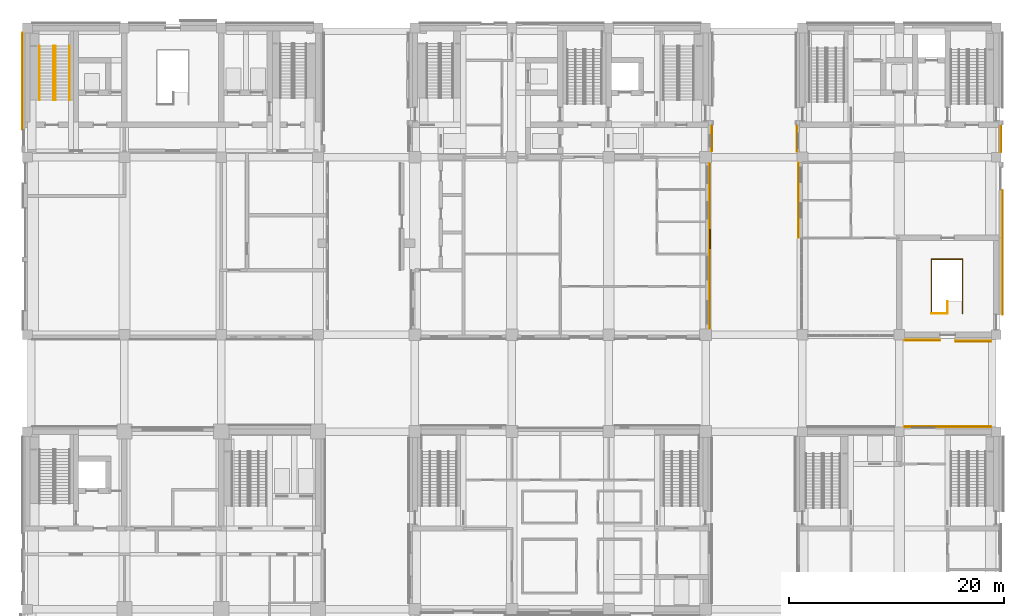
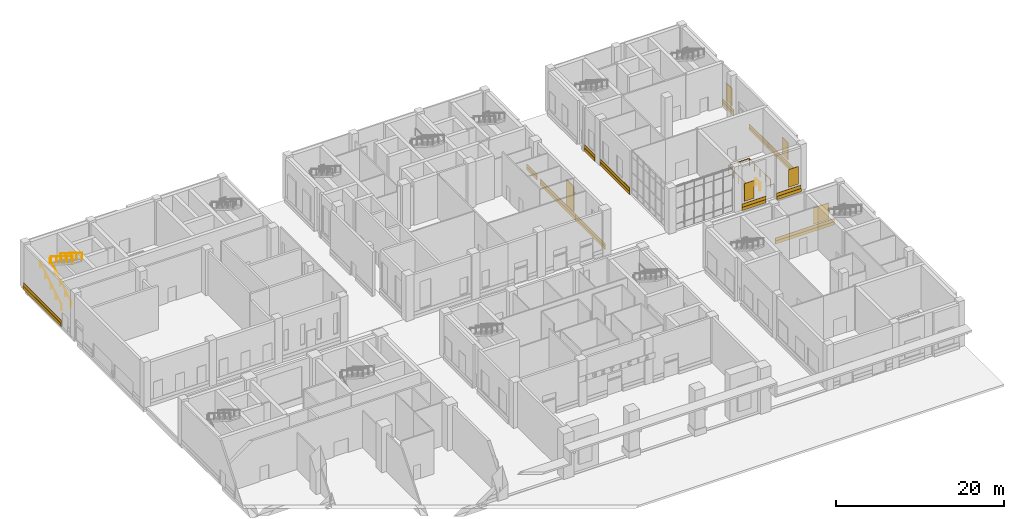
# One storey, part 28 of 35: 30 coverings, 7 railings.
"""IFC4 building model written with IfcOpenShell, lengths in metres."""

from ifc_helpers import new_model, si_unit, direction, frame, origin, origin_2d, place, context, subcontext, project, spatial, rectangle, circle, extrude, material, layer, layer_set, type_object, element, save


model = new_model("IFC4")

# Units and contexts
model_context = context("Model", 3, precision=1e-05, world=origin(), true_north=direction((0.0, 1.0)))
body_context = subcontext(model_context, "Body", "Model", "MODEL_VIEW")
ifc_project = project(units=[si_unit("LENGTHUNIT", "METRE"), si_unit("AREAUNIT", "SQUARE_METRE"), si_unit("VOLUMEUNIT", "CUBIC_METRE"), si_unit("PLANEANGLEUNIT", "RADIAN"), si_unit("MASSUNIT", "GRAM", prefix="KILO")], contexts=[model_context])

# Site, building, storey
site_placement = place(None, origin())
site = spatial("IfcSite", under=ifc_project, at=site_placement, CompositionType="ELEMENT")
building_placement = place(site_placement, origin())
building = spatial("IfcBuilding", under=site, at=building_placement, Name="Aurelan Courthouse", CompositionType="ELEMENT")
storey_placement = place(building_placement, origin())
storey = spatial("IfcBuildingStorey", under=building, at=storey_placement, Name="L00", CompositionType="ELEMENT", Elevation=0.0)

# Coverings
ifc_material_1 = material(Name="Granite cladding", Category="masonry")
covering_type_1 = type_object("IfcCoveringType", Name="Courtroom Block rusticated plinth course 450 x 100", PredefinedType="CLADDING", material=ifc_material_1)
covering_1_placement = place(storey_placement, frame((63.39990234375, 41.52490234375, 0.0), z_axis=(0.0, 0.0, 1.0), x_axis=(1.0, 0.0, 0.0)))
element("IfcCovering", 1, at=covering_1_placement, inside=storey, type_object=covering_type_1, Name="Plinth course PLC-V2-017", PredefinedType="CLADDING", context=body_context, shape_type="SweptSolid", body=[
    extrude(rectangle(XDim=0.10009765625, YDim=6.949951171875, at=origin_2d()), origin(), (0.0, 0.0, 1.0), 0.449951171875),
])
covering_2_placement = place(storey_placement, frame((63.3798828125, 41.52490234375, 0.4501953125), z_axis=(0.0, 0.0, 1.0), x_axis=(1.0, 0.0, 0.0)))
element("IfcCovering", 2, at=covering_2_placement, inside=storey, type_object=covering_type_1, Name="Plinth course PLC-V2-018", PredefinedType="CLADDING", context=body_context, shape_type="SweptSolid", body=[
    extrude(rectangle(XDim=0.06005859375, YDim=6.949951171875, at=origin_2d()), origin(), (0.0, 0.0, 1.0), 0.449951171875),
])
covering_3_placement = place(storey_placement, frame((63.39990234375, 49.22509765625, 0.0), z_axis=(0.0, 0.0, 1.0), x_axis=(1.0, 0.0, 0.0)))
element("IfcCovering", 3, at=covering_3_placement, inside=storey, type_object=covering_type_1, Name="Plinth course PLC-V2-023", PredefinedType="CLADDING", context=body_context, shape_type="SweptSolid", body=[
    extrude(rectangle(XDim=0.10009765625, YDim=8.449951171875, at=origin_2d()), origin(), (0.0, 0.0, 1.0), 0.449951171875),
])
covering_4_placement = place(storey_placement, frame((63.3798828125, 49.22509765625, 0.4501953125), z_axis=(0.0, 0.0, 1.0), x_axis=(1.0, 0.0, 0.0)))
element("IfcCovering", 4, at=covering_4_placement, inside=storey, type_object=covering_type_1, Name="Plinth course PLC-V2-024", PredefinedType="CLADDING", context=body_context, shape_type="SweptSolid", body=[
    extrude(rectangle(XDim=0.06005859375, YDim=8.449951171875, at=origin_2d()), origin(), (0.0, 0.0, 1.0), 0.449951171875),
])
covering_5_placement = place(storey_placement, frame((63.60009765625, 55.77490234375, 0.0), z_axis=(0.0, 0.0, 1.0), x_axis=(1.0, 0.0, 0.0)))
element("IfcCovering", 5, at=covering_5_placement, inside=storey, type_object=covering_type_1, Name="Plinth course PLC-V2-027", PredefinedType="CLADDING", context=body_context, shape_type="SweptSolid", body=[
    extrude(rectangle(XDim=0.10009765625, YDim=2.449951171875, at=origin_2d()), origin(), (0.0, 0.0, 1.0), 0.449951171875),
])
covering_6_placement = place(storey_placement, frame((63.580078125, 55.77490234375, 0.4501953125), z_axis=(0.0, 0.0, 1.0), x_axis=(1.0, 0.0, 0.0)))
element("IfcCovering", 6, at=covering_6_placement, inside=storey, type_object=covering_type_1, Name="Plinth course PLC-V2-028", PredefinedType="CLADDING", context=body_context, shape_type="SweptSolid", body=[
    extrude(rectangle(XDim=0.06005859375, YDim=2.449951171875, at=origin_2d()), origin(), (0.0, 0.0, 1.0), 0.449951171875),
])
covering_type_2 = type_object("IfcCoveringType", Name="Custody Suite rusticated plinth course 450 x 100", PredefinedType="CLADDING", material=ifc_material_1)
covering_7_placement = place(storey_placement, frame((-0.5, 61.050048828125, 0.0), z_axis=(0.0, 0.0, 1.0), x_axis=(1.0, 0.0, 0.0)))
element("IfcCovering", 7, at=covering_7_placement, inside=storey, type_object=covering_type_2, Name="Plinth course PLC-V6-016", PredefinedType="CLADDING", context=body_context, shape_type="SweptSolid", body=[
    extrude(rectangle(XDim=0.10009765625, YDim=9.0, at=origin_2d()), origin(), (0.0, 0.0, 1.0), 0.449951171875),
])
covering_8_placement = place(storey_placement, frame((-0.47998046875, 61.050048828125, 0.4501953125), z_axis=(0.0, 0.0, 1.0), x_axis=(1.0, 0.0, 0.0)))
element("IfcCovering", 8, at=covering_8_placement, inside=storey, type_object=covering_type_2, Name="Plinth course PLC-V6-018", PredefinedType="CLADDING", context=body_context, shape_type="SweptSolid", body=[
    extrude(rectangle(XDim=0.06005859375, YDim=9.0, at=origin_2d()), origin(), (0.0, 0.0, 1.0), 0.449951171875),
])
ifc_material_2 = material(Name="Bronze sheet cladding")
ifc_layer_1 = layer(ifc_material_2, 0.06005859375)
ifc_layer_set_1 = layer_set([ifc_layer_1], Name="Bronze sheet cladding")
covering_type_3 = type_object("IfcCoveringType", Name="Law Library blind bay 1350 x 2550", PredefinedType="CLADDING", material=ifc_layer_set_1)
for number, where, z_axis, x_axis, name in (
    (9, (82.5, 37.0, 1.2001953125), (0.0, 0.0, 1.0), (1.0, 0.0, 0.0), "Blind bay BB-V3-L00-001"),
    (10, (88.5, 36.89990234375, 1.2001953125), (0.0, 0.0, 1.0), (1.0, 0.0, 0.0), "Blind bay BB-V3-L00-002"),
):
    element("IfcCovering", number, at=place(storey_placement, frame(where, z_axis=z_axis, x_axis=x_axis)), inside=storey, type_object=covering_type_3, Name=name, PredefinedType="CLADDING", context=body_context, shape_type="SweptSolid", body=[
        extrude(rectangle(XDim=1.35009765625, YDim=0.06005859375, at=origin_2d()), origin(), (0.0, 0.0, 1.0), 2.550048828125),
    ])
for number, where, z_axis, x_axis, name in (
    (11, (90.60009765625, 42.449951171875, 1.2001953125), (0.0, 0.0, 1.0), (1.0, 0.0, 0.0), "Blind bay BB-V3-L00-009"),
    (12, (90.449951171875, 55.5, 1.2001953125), (0.0, 0.0, 1.0), (1.0, 0.0, 0.0), "Blind bay BB-V3-L00-010"),
):
    element("IfcCovering", number, at=place(storey_placement, frame(where, z_axis=z_axis, x_axis=x_axis)), inside=storey, type_object=covering_type_3, Name=name, PredefinedType="CLADDING", context=body_context, shape_type="SweptSolid", body=[
        extrude(rectangle(XDim=0.06005859375, YDim=1.35009765625, at=origin_2d()), origin(), (0.0, 0.0, 1.0), 2.550048828125),
    ])
covering_type_4 = type_object("IfcCoveringType", Name="Law Library rusticated plinth course 450 x 100", PredefinedType="CLADDING", material=ifc_material_1)
covering_9_placement = place(storey_placement, frame((87.875, 36.8798828125, 0.0), z_axis=(0.0, 0.0, 1.0), x_axis=(1.0, 0.0, 0.0)))
element("IfcCovering", 13, at=covering_9_placement, inside=storey, type_object=covering_type_4, Name="Plinth course PLC-V3-001", PredefinedType="CLADDING", context=body_context, shape_type="SweptSolid", body=[
    extrude(rectangle(XDim=3.35009765625, YDim=0.10009765625, at=origin_2d()), origin(), (0.0, 0.0, 1.0), 0.449951171875),
])
covering_10_placement = place(storey_placement, frame((87.875, 36.89990234375, 0.4501953125), z_axis=(0.0, 0.0, 1.0), x_axis=(1.0, 0.0, 0.0)))
element("IfcCovering", 14, at=covering_10_placement, inside=storey, type_object=covering_type_4, Name="Plinth course PLC-V3-002", PredefinedType="CLADDING", context=body_context, shape_type="SweptSolid", body=[
    extrude(rectangle(XDim=3.35009765625, YDim=0.06005859375, at=origin_2d()), origin(), (0.0, 0.0, 1.0), 0.449951171875),
])
covering_11_placement = place(storey_placement, frame((83.14990234375, 36.97998046875, 0.0), z_axis=(0.0, 0.0, 1.0), x_axis=(1.0, 0.0, 0.0)))
element("IfcCovering", 15, at=covering_11_placement, inside=storey, type_object=covering_type_4, Name="Plinth course PLC-V3-003", PredefinedType="CLADDING", context=body_context, shape_type="SweptSolid", body=[
    extrude(rectangle(XDim=3.300048828125, YDim=0.10009765625, at=origin_2d()), origin(), (0.0, 0.0, 1.0), 0.449951171875),
])
covering_12_placement = place(storey_placement, frame((83.14990234375, 37.0, 0.4501953125), z_axis=(0.0, 0.0, 1.0), x_axis=(1.0, 0.0, 0.0)))
element("IfcCovering", 16, at=covering_12_placement, inside=storey, type_object=covering_type_4, Name="Plinth course PLC-V3-004", PredefinedType="CLADDING", context=body_context, shape_type="SweptSolid", body=[
    extrude(rectangle(XDim=3.300048828125, YDim=0.06005859375, at=origin_2d()), origin(), (0.0, 0.0, 1.0), 0.449951171875),
])
covering_13_placement = place(storey_placement, frame((90.6201171875, 42.93505859375, 0.0), z_axis=(0.0, 0.0, 1.0), x_axis=(1.0, 0.0, 0.0)))
element("IfcCovering", 17, at=covering_13_placement, inside=storey, type_object=covering_type_4, Name="Plinth course PLC-V3-005", PredefinedType="CLADDING", context=body_context, shape_type="SweptSolid", body=[
    extrude(rectangle(XDim=0.10009765625, YDim=7.1298828125, at=origin_2d()), origin(), (0.0, 0.0, 1.0), 0.449951171875),
])
covering_14_placement = place(storey_placement, frame((90.60009765625, 42.93505859375, 0.4501953125), z_axis=(0.0, 0.0, 1.0), x_axis=(1.0, 0.0, 0.0)))
element("IfcCovering", 18, at=covering_14_placement, inside=storey, type_object=covering_type_4, Name="Plinth course PLC-V3-006", PredefinedType="CLADDING", context=body_context, shape_type="SweptSolid", body=[
    extrude(rectangle(XDim=0.06005859375, YDim=7.1298828125, at=origin_2d()), origin(), (0.0, 0.0, 1.0), 0.449951171875),
])
covering_15_placement = place(storey_placement, frame((71.6298828125, 50.0, 0.0), z_axis=(0.0, 0.0, 1.0), x_axis=(1.0, 0.0, 0.0)))
element("IfcCovering", 19, at=covering_15_placement, inside=storey, type_object=covering_type_4, Name="Plinth course PLC-V3-007", PredefinedType="CLADDING", context=body_context, shape_type="SweptSolid", body=[
    extrude(rectangle(XDim=0.10009765625, YDim=7.0, at=origin_2d()), origin(), (0.0, 0.0, 1.0), 0.449951171875),
])
covering_16_placement = place(storey_placement, frame((71.64990234375, 50.0, 0.4501953125), z_axis=(0.0, 0.0, 1.0), x_axis=(1.0, 0.0, 0.0)))
element("IfcCovering", 20, at=covering_16_placement, inside=storey, type_object=covering_type_4, Name="Plinth course PLC-V3-008", PredefinedType="CLADDING", context=body_context, shape_type="SweptSolid", body=[
    extrude(rectangle(XDim=0.06005859375, YDim=7.0, at=origin_2d()), origin(), (0.0, 0.0, 1.0), 0.449951171875),
])
covering_17_placement = place(storey_placement, frame((90.6201171875, 48.72509765625, 0.0), z_axis=(0.0, 0.0, 1.0), x_axis=(1.0, 0.0, 0.0)))
element("IfcCovering", 21, at=covering_17_placement, inside=storey, type_object=covering_type_4, Name="Plinth course PLC-V3-009", PredefinedType="CLADDING", context=body_context, shape_type="SweptSolid", body=[
    extrude(rectangle(XDim=0.10009765625, YDim=4.449951171875, at=origin_2d()), origin(), (0.0, 0.0, 1.0), 0.449951171875),
])
covering_18_placement = place(storey_placement, frame((90.60009765625, 48.72509765625, 0.4501953125), z_axis=(0.0, 0.0, 1.0), x_axis=(1.0, 0.0, 0.0)))
element("IfcCovering", 22, at=covering_18_placement, inside=storey, type_object=covering_type_4, Name="Plinth course PLC-V3-011", PredefinedType="CLADDING", context=body_context, shape_type="SweptSolid", body=[
    extrude(rectangle(XDim=0.06005859375, YDim=4.449951171875, at=origin_2d()), origin(), (0.0, 0.0, 1.0), 0.449951171875),
])
covering_19_placement = place(storey_placement, frame((90.469970703125, 55.72509765625, 0.0), z_axis=(0.0, 0.0, 1.0), x_axis=(1.0, 0.0, 0.0)))
element("IfcCovering", 23, at=covering_19_placement, inside=storey, type_object=covering_type_4, Name="Plinth course PLC-V3-013", PredefinedType="CLADDING", context=body_context, shape_type="SweptSolid", body=[
    extrude(rectangle(XDim=0.10009765625, YDim=2.550048828125, at=origin_2d()), origin(), (0.0, 0.0, 1.0), 0.449951171875),
])
covering_20_placement = place(storey_placement, frame((90.449951171875, 55.72509765625, 0.4501953125), z_axis=(0.0, 0.0, 1.0), x_axis=(1.0, 0.0, 0.0)))
element("IfcCovering", 24, at=covering_20_placement, inside=storey, type_object=covering_type_4, Name="Plinth course PLC-V3-014", PredefinedType="CLADDING", context=body_context, shape_type="SweptSolid", body=[
    extrude(rectangle(XDim=0.06005859375, YDim=2.550048828125, at=origin_2d()), origin(), (0.0, 0.0, 1.0), 0.449951171875),
])
covering_21_placement = place(storey_placement, frame((71.47998046875, 55.75, 0.0), z_axis=(0.0, 0.0, 1.0), x_axis=(1.0, 0.0, 0.0)))
element("IfcCovering", 25, at=covering_21_placement, inside=storey, type_object=covering_type_4, Name="Plinth course PLC-V3-015", PredefinedType="CLADDING", context=body_context, shape_type="SweptSolid", body=[
    extrude(rectangle(XDim=0.10009765625, YDim=2.5, at=origin_2d()), origin(), (0.0, 0.0, 1.0), 0.449951171875),
])
covering_22_placement = place(storey_placement, frame((71.5, 55.75, 0.4501953125), z_axis=(0.0, 0.0, 1.0), x_axis=(1.0, 0.0, 0.0)))
element("IfcCovering", 26, at=covering_22_placement, inside=storey, type_object=covering_type_4, Name="Plinth course PLC-V3-016", PredefinedType="CLADDING", context=body_context, shape_type="SweptSolid", body=[
    extrude(rectangle(XDim=0.06005859375, YDim=2.5, at=origin_2d()), origin(), (0.0, 0.0, 1.0), 0.449951171875),
])
ifc_layer_2 = layer(ifc_material_2, 0.06005859375)
ifc_layer_set_2 = layer_set([ifc_layer_2], Name="Bronze sheet cladding")
covering_type_5 = type_object("IfcCoveringType", Name="Public Hall and Registry blind bay 2100 x 2400", PredefinedType="CLADDING", material=ifc_layer_set_2)
covering_23_placement = place(storey_placement, frame((87.75, 28.9599609375, 1.050048828125), z_axis=(0.0, 0.0, 1.0), x_axis=(1.0, 0.0, 0.0)))
element("IfcCovering", 27, at=covering_23_placement, inside=storey, type_object=covering_type_5, Name="Blind bay BB-V4-L00-005", PredefinedType="CLADDING", context=body_context, shape_type="SweptSolid", body=[
    extrude(rectangle(XDim=2.10009765625, YDim=0.06005859375, at=origin_2d()), origin(), (0.0, 0.0, 1.0), 2.39990234375),
])
covering_type_6 = type_object("IfcCoveringType", Name="Public Hall and Registry rusticated plinth course 450 x 100", PredefinedType="CLADDING", material=ifc_material_1)
covering_24_placement = place(storey_placement, frame((85.5, 28.97998046875, 0.0), z_axis=(0.0, 0.0, 1.0), x_axis=(1.0, 0.0, 0.0)))
element("IfcCovering", 28, at=covering_24_placement, inside=storey, type_object=covering_type_6, Name="Plinth course PLC-V4-025", PredefinedType="CLADDING", context=body_context, shape_type="SweptSolid", body=[
    extrude(rectangle(XDim=8.10009765625, YDim=0.10009765625, at=origin_2d()), origin(), (0.0, 0.0, 1.0), 0.449951171875),
])
covering_25_placement = place(storey_placement, frame((85.5, 28.9599609375, 0.4501953125), z_axis=(0.0, 0.0, 1.0), x_axis=(1.0, 0.0, 0.0)))
element("IfcCovering", 29, at=covering_25_placement, inside=storey, type_object=covering_type_6, Name="Plinth course PLC-V4-026", PredefinedType="CLADDING", context=body_context, shape_type="SweptSolid", body=[
    extrude(rectangle(XDim=8.10009765625, YDim=0.06005859375, at=origin_2d()), origin(), (0.0, 0.0, 1.0), 0.449951171875),
])
ifc_layer_3 = layer(ifc_material_2, 0.14990234375)
ifc_layer_set_3 = layer_set([ifc_layer_3], Name="Bronze sheet cladding")
covering_type_7 = type_object("IfcCoveringType", Name="Relief panel 1800 x 3600 x 150", PredefinedType="CLADDING", material=ifc_layer_set_3)
covering_26_placement = place(storey_placement, frame((63.425048828125, 46.408203125, 1.0), z_axis=(0.0, 0.0, 1.0), x_axis=(1.0, 0.0, 0.0)))
element("IfcCovering", 30, at=covering_26_placement, inside=storey, type_object=covering_type_7, Name="Relief panel RP-V2-001", PredefinedType="CLADDING", context=body_context, shape_type="SweptSolid", body=[
    extrude(rectangle(XDim=0.14990234375, YDim=1.800048828125, at=origin_2d()), origin(), (0.0, 0.0, 1.0), 3.60009765625),
])

# Railings
ifc_material_3 = material(Name="Steel S355", Category="steel")
railing_type_1 = type_object("IfcRailingType", Name="Stair guard 1100", PredefinedType="GUARDRAIL", material=ifc_material_3)
railing_1_placement = place(storey_placement, frame((85.375, 39.47998046875, 0.0)))
element("IfcRailing", 31, at=railing_1_placement, inside=storey, type_object=railing_type_1, Name="Guard BS-4-L00-G1", PredefinedType="GUARDRAIL", context=body_context, shape_type="SweptSolid", body=[
    extrude(circle(Radius=0.02392578125, at=origin_2d()), frame((0.0, 0.0, 1.076171875), z_axis=(-1.0, 0.0, 0.0), x_axis=(0.0, -1.0, 0.0)), (0.0, 0.0, 1.0), 1.39990234375),
    extrude(circle(Radius=0.02099609375, at=origin_2d()), origin(), (0.0, 0.0, 1.0), 1.052001953125),
    extrude(circle(Radius=0.02099609375, at=origin_2d()), frame((-1.39990234375, 0.0, 0.0)), (0.0, 0.0, 1.0), 1.052001953125),
])
railing_2_placement = place(storey_placement, frame((83.97509765625, 39.47998046875, 0.0)))
element("IfcRailing", 32, at=railing_2_placement, inside=storey, type_object=railing_type_1, Name="Guard BS-4-L00-G2", PredefinedType="GUARDRAIL", context=body_context, shape_type="SweptSolid", body=[
    extrude(circle(Radius=0.02392578125, at=origin_2d()), frame((0.0, 0.0, 1.076171875), z_axis=(0.0, 1.0, 0.0), x_axis=(-1.0, 0.0, 0.0)), (0.0, 0.0, 1.0), 5.0400390625),
    extrude(circle(Radius=0.02392578125, at=origin_2d()), frame((0.0, 5.0400390625, 1.076171875), z_axis=(1.0, 0.0, 0.0), x_axis=(0.0, 1.0, 0.0)), (0.0, 0.0, 1.0), 2.89990234375),
    extrude(circle(Radius=0.02392578125, at=origin_2d()), frame((2.89990234375, 5.0400390625, 1.076171875), z_axis=(0.0, -1.0, 0.0), x_axis=(1.0, 0.0, 0.0)), (0.0, 0.0, 1.0), 5.0400390625),
    extrude(circle(Radius=0.02099609375, at=origin_2d()), origin(), (0.0, 0.0, 1.0), 1.052001953125),
    extrude(circle(Radius=0.02099609375, at=origin_2d()), frame((0.0, 1.260009765625, 0.0)), (0.0, 0.0, 1.0), 1.052001953125),
    extrude(circle(Radius=0.02099609375, at=origin_2d()), frame((0.0, 2.52001953125, 0.0)), (0.0, 0.0, 1.0), 1.052001953125),
    extrude(circle(Radius=0.02099609375, at=origin_2d()), frame((0.0, 3.780029296875, 0.0)), (0.0, 0.0, 1.0), 1.052001953125),
    extrude(circle(Radius=0.02099609375, at=origin_2d()), frame((0.0, 5.0400390625, 0.0)), (0.0, 0.0, 1.0), 1.052001953125),
    extrude(circle(Radius=0.02099609375, at=origin_2d()), frame((1.449951171875, 5.0400390625, 0.0)), (0.0, 0.0, 1.0), 1.052001953125),
    extrude(circle(Radius=0.02099609375, at=origin_2d()), frame((2.89990234375, 5.0400390625, 0.0)), (0.0, 0.0, 1.0), 1.052001953125),
    extrude(circle(Radius=0.02099609375, at=origin_2d()), frame((2.89990234375, 3.780029296875, 0.0)), (0.0, 0.0, 1.0), 1.052001953125),
    extrude(circle(Radius=0.02099609375, at=origin_2d()), frame((2.89990234375, 2.52001953125, 0.0)), (0.0, 0.0, 1.0), 1.052001953125),
    extrude(circle(Radius=0.02099609375, at=origin_2d()), frame((2.89990234375, 1.260009765625, 0.0)), (0.0, 0.0, 1.0), 1.052001953125),
    extrude(circle(Radius=0.02099609375, at=origin_2d()), frame((2.89990234375, 0.0, 0.0)), (0.0, 0.0, 1.0), 1.052001953125),
])
railing_3_placement = place(storey_placement, frame((85.47509765625, 39.47998046875, 0.0)))
element("IfcRailing", 33, at=railing_3_placement, inside=storey, type_object=railing_type_1, Name="Guard BS-4-L00-G3", PredefinedType="GUARDRAIL", context=body_context, shape_type="SweptSolid", body=[
    extrude(circle(Radius=0.02392578125, at=origin_2d()), frame((0.0, 0.0, 1.076171875), z_axis=(0.0, 1.0, 0.0), x_axis=(-1.0, 0.0, 0.0)), (0.0, 0.0, 1.0), 1.1201171875),
    extrude(circle(Radius=0.02099609375, at=origin_2d()), origin(), (0.0, 0.0, 1.0), 1.052001953125),
    extrude(circle(Radius=0.02099609375, at=origin_2d()), frame((0.0, 1.1201171875, 0.0)), (0.0, 0.0, 1.0), 1.052001953125),
])
railing_type_2 = type_object("IfcRailingType", Name="Stair handrail 900", PredefinedType="HANDRAIL", material=ifc_material_3)
for number, where, name in (
    (34, (1.110107421875, 59.31005859375, 0.173583984375), "Handrail ST-6-L00-H1"),
    (35, (2.409912109375, 59.31005859375, 0.173583984375), "Handrail ST-6-L00-H2"),
):
    element("IfcRailing", number, at=place(storey_placement, frame(where)), inside=storey, type_object=railing_type_2, Name=name, PredefinedType="HANDRAIL", context=body_context, shape_type="SweptSolid", body=[
        extrude(circle(Radius=0.02392578125, at=origin_2d()), frame((0.0, 0.0, 0.8759765625), z_axis=(0.0, 0.849778785312, 0.527139465448), x_axis=(-1.0, 0.0, 0.0)), (0.0, 0.0, 1.0), 5.930908203125),
        extrude(circle(Radius=0.02099609375, at=origin_2d()), origin(), (0.0, 0.0, 1.0), 0.851806640625),
        extrude(circle(Radius=0.02099609375, at=origin_2d()), frame((0.0, 1.260009765625, 0.78173828125)), (0.0, 0.0, 1.0), 0.851806640625),
        extrude(circle(Radius=0.02099609375, at=origin_2d()), frame((0.0, 2.52001953125, 1.563232421875)), (0.0, 0.0, 1.0), 0.851806640625),
        extrude(circle(Radius=0.02099609375, at=origin_2d()), frame((0.0, 3.780029296875, 2.3447265625)), (0.0, 0.0, 1.0), 0.851806640625),
        extrude(circle(Radius=0.02099609375, at=origin_2d()), frame((0.0, 5.0400390625, 3.12646484375)), (0.0, 0.0, 1.0), 0.851806640625),
    ])
for number, where, name in (
    (36, (2.610107421875, 64.35009765625, 3.4736328125), "Handrail ST-6-L00-H3"),
    (37, (3.909912109375, 64.35009765625, 3.4736328125), "Handrail ST-6-L00-H4"),
):
    element("IfcRailing", number, at=place(storey_placement, frame(where)), inside=storey, type_object=railing_type_2, Name=name, PredefinedType="HANDRAIL", context=body_context, shape_type="SweptSolid", body=[
        extrude(circle(Radius=0.02392578125, at=origin_2d()), frame((0.0, 0.0, 0.8759765625), z_axis=(0.0, -0.849778785312, 0.527139465448), x_axis=(1.0, 0.0, 0.0)), (0.0, 0.0, 1.0), 5.930908203125),
        extrude(circle(Radius=0.02099609375, at=origin_2d()), origin(), (0.0, 0.0, 1.0), 0.851806640625),
        extrude(circle(Radius=0.02099609375, at=origin_2d()), frame((0.0, -1.260009765625, 0.78173828125)), (0.0, 0.0, 1.0), 0.851806640625),
        extrude(circle(Radius=0.02099609375, at=origin_2d()), frame((0.0, -2.52001953125, 1.563232421875)), (0.0, 0.0, 1.0), 0.851806640625),
        extrude(circle(Radius=0.02099609375, at=origin_2d()), frame((0.0, -3.780029296875, 2.3447265625)), (0.0, 0.0, 1.0), 0.851806640625),
        extrude(circle(Radius=0.02099609375, at=origin_2d()), frame((0.0, -5.0400390625, 3.12646484375)), (0.0, 0.0, 1.0), 0.851806640625),
    ])

save(model, "model.ifc")
